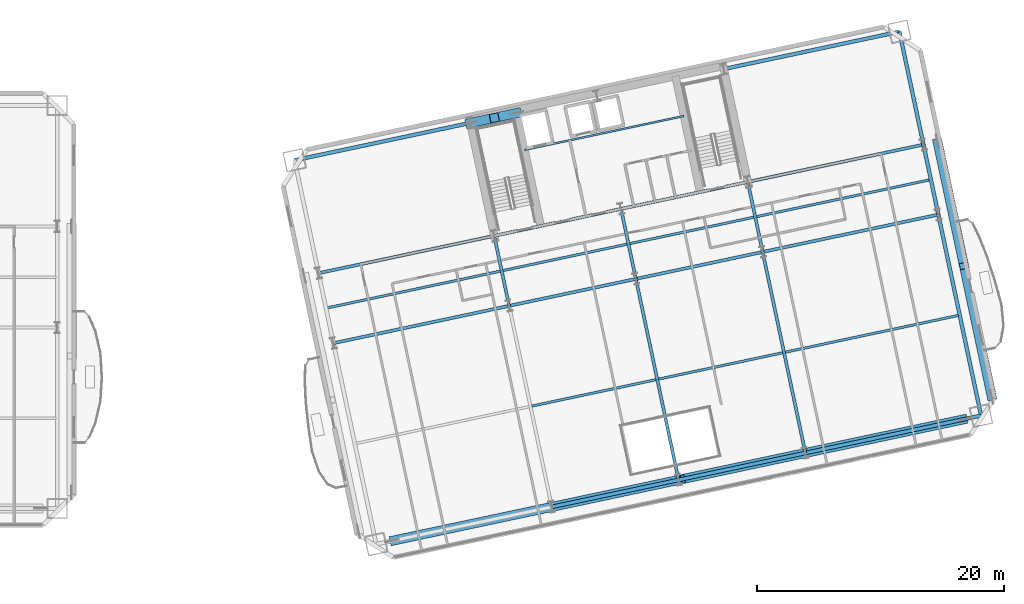
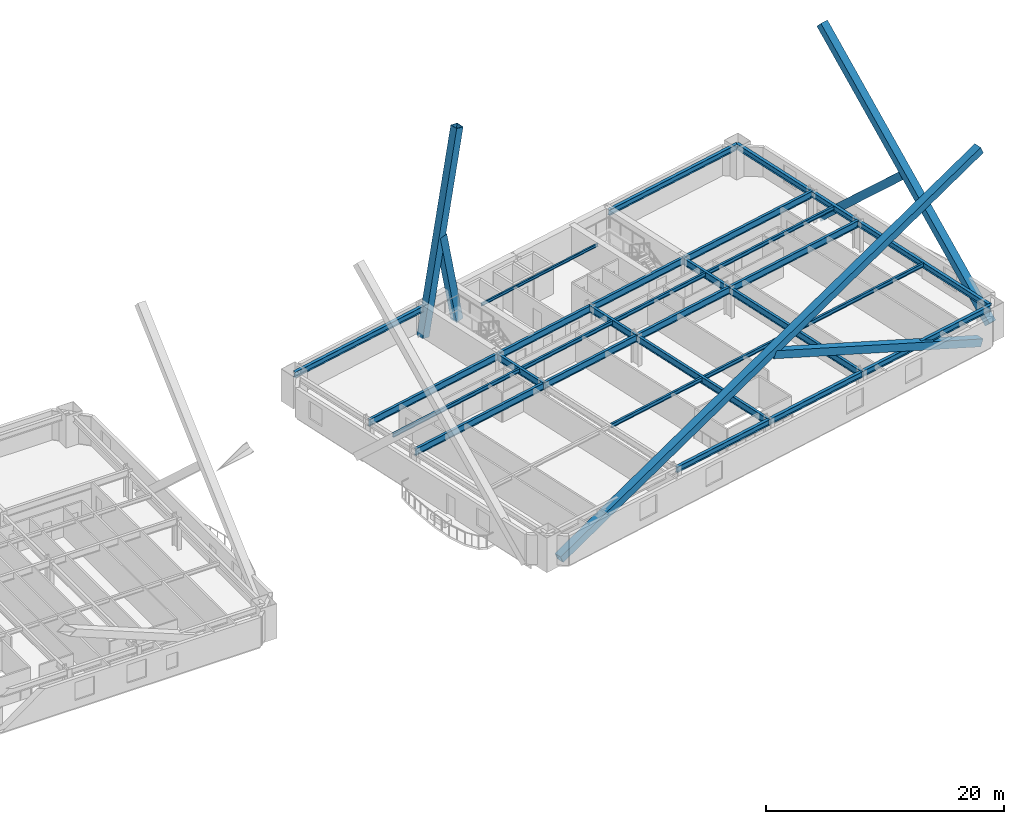
# One storey, part 4 of 20: 29 beams, 6 members.
"""IFC4 building model written with IfcOpenShell, lengths in metres."""

from ifc_helpers import new_model, si_unit, direction, frame, origin, origin_2d, place, context, subcontext, project, spatial, hollow_rectangle, i_section, extrude, material, material_profile, profile_set, type_object, element, save


model = new_model("IFC4")

# Units and contexts
model_context = context("Model", 3, precision=1e-05, world=origin(), true_north=direction((0.0, 1.0)))
body_context = subcontext(model_context, "Body", "Model", "MODEL_VIEW")
ifc_project = project(units=[si_unit("LENGTHUNIT", "METRE"), si_unit("AREAUNIT", "SQUARE_METRE"), si_unit("VOLUMEUNIT", "CUBIC_METRE"), si_unit("PLANEANGLEUNIT", "RADIAN"), si_unit("MASSUNIT", "GRAM", prefix="KILO")], contexts=[model_context])

# Site, building, storey
site_placement = place(None, origin())
site = spatial("IfcSite", under=ifc_project, at=site_placement, CompositionType="ELEMENT")
building_placement = place(site_placement, origin())
building = spatial("IfcBuilding", under=site, at=building_placement, Name="Haevon Station Towers", CompositionType="ELEMENT")
storey_placement = place(building_placement, frame((0.0, 0.0, 30.60009765625)))
storey = spatial("IfcBuildingStorey", under=building, at=storey_placement, Name="L06", CompositionType="ELEMENT", Elevation=30.60009765625)

# Beams
ifc_material_1 = material(Name="Steel S355", Category="steel")
ifc_material_profile_1 = material_profile(ifc_material_1, i_section(OverallWidth=0.25, OverallDepth=0.699951171875, WebThickness=0.012939453125, FlangeThickness=0.02392578125, at=origin_2d()), Name="H-700x250x13x24")
ifc_profile_set_1 = profile_set([ifc_material_profile_1], Name="Steel S355")
beam_type_1 = type_object("IfcBeamType", Name="BM-G700", PredefinedType="BEAM", material=ifc_profile_set_1)
beam_1_placement = place(storey_placement, frame((85.72607421875, 28.744140625, 2.699951171875), z_axis=(0.978150960994, 0.207895881409, 0.0), x_axis=(-0.207895881409, 0.978150960994, 0.0)))
element("IfcBeam", 1, at=beam_1_placement, inside=storey, type_object=beam_type_1, Name="BM-T2U-L06-02-01", PredefinedType="BEAM", context=body_context, shape_type="SweptSolid", body=[
    extrude(i_section(OverallWidth=0.25, OverallDepth=0.699951171875, WebThickness=0.012939453125, FlangeThickness=0.02392578125, at=origin_2d()), origin(), (0.0, 0.0, 1.0), 14.550048828125),
])
for number, where, z_axis, x_axis, name in (
    (2, (99.958251953125, 31.76904296875, 2.699951171875), (0.978146794194, 0.207915485254, 0.0), (-0.207915485254, 0.978146794194, 0.0), "BM-T2U-L06-02-02"),
    (3, (110.228759765625, 33.9521484375, 2.699951171875), (0.978146794194, 0.207915485254, 0.0), (-0.207915485254, 0.978146794194, 0.0), "BM-T2U-L06-02-03"),
):
    element("IfcBeam", number, at=place(storey_placement, frame(where, z_axis=z_axis, x_axis=x_axis)), inside=storey, type_object=beam_type_1, Name=name, PredefinedType="BEAM", context=body_context, shape_type="SweptSolid", body=[
        extrude(i_section(OverallWidth=0.25, OverallDepth=0.699951171875, WebThickness=0.012939453125, FlangeThickness=0.02392578125, at=origin_2d()), origin(), (0.0, 0.0, 1.0), 10.5),
    ])
for number, where, z_axis, x_axis, name in (
    (4, (120.499267578125, 36.13525390625, 2.699951171875), (0.978147548738, 0.207911935439, 0.0), (-0.207911935439, 0.978147548738, 0.0), "BM-T2U-L06-02-04"),
    (5, (84.520263671875, 34.417236328125, 2.699951171875), (0.978147548738, 0.207911935439, 0.0), (-0.207911935439, 0.978147548738, 0.0), "BM-T2U-L06-03-01"),
):
    element("IfcBeam", number, at=place(storey_placement, frame(where, z_axis=z_axis, x_axis=x_axis)), inside=storey, type_object=beam_type_1, Name=name, PredefinedType="BEAM", context=body_context, shape_type="SweptSolid", body=[
        extrude(i_section(OverallWidth=0.25, OverallDepth=0.699951171875, WebThickness=0.012939453125, FlangeThickness=0.02392578125, at=origin_2d()), origin(), (0.0, 0.0, 1.0), 14.550048828125),
    ])
for number, where, z_axis, x_axis, name in (
    (6, (98.75244140625, 37.4423828125, 2.699951171875), (0.978146794194, 0.207915485254, 0.0), (-0.207915485254, 0.978146794194, 0.0), "BM-T2U-L06-03-02"),
    (7, (109.02294921875, 39.62548828125, 2.699951171875), (0.978146794194, 0.207915485254, 0.0), (-0.207915485254, 0.978146794194, 0.0), "BM-T2U-L06-03-03"),
):
    element("IfcBeam", number, at=place(storey_placement, frame(where, z_axis=z_axis, x_axis=x_axis)), inside=storey, type_object=beam_type_1, Name=name, PredefinedType="BEAM", context=body_context, shape_type="SweptSolid", body=[
        extrude(i_section(OverallWidth=0.25, OverallDepth=0.699951171875, WebThickness=0.012939453125, FlangeThickness=0.02392578125, at=origin_2d()), origin(), (0.0, 0.0, 1.0), 10.5),
    ])
beam_2_placement = place(storey_placement, frame((119.29345703125, 41.80859375, 2.699951171875), z_axis=(0.978146823396, 0.207915347869, 0.0), x_axis=(-0.207915347869, 0.978146823396, 0.0)))
element("IfcBeam", 8, at=beam_2_placement, inside=storey, type_object=beam_type_1, Name="BM-T2U-L06-03-04", PredefinedType="BEAM", context=body_context, shape_type="SweptSolid", body=[
    extrude(i_section(OverallWidth=0.25, OverallDepth=0.699951171875, WebThickness=0.012939453125, FlangeThickness=0.02392578125, at=origin_2d()), origin(), (0.0, 0.0, 1.0), 14.5498046875),
])
beam_3_placement = place(storey_placement, frame((99.958251953125, 31.76904296875, 2.699951171875), z_axis=(-0.207896009217, 0.97815093383, 0.0), x_axis=(-0.97815093383, -0.207896009217, 0.0)))
element("IfcBeam", 9, at=beam_3_placement, inside=storey, type_object=beam_type_1, Name="BM-T2V-L06-02-02", PredefinedType="BEAM", context=body_context, shape_type="SweptSolid", body=[
    extrude(i_section(OverallWidth=0.25, OverallDepth=0.699951171875, WebThickness=0.012939453125, FlangeThickness=0.02392578125, at=origin_2d()), origin(), (0.0, 0.0, 1.0), 5.800048828125),
])
beam_4_placement = place(storey_placement, frame((113.6904296875, 17.666015625, 2.699951171875), z_axis=(-0.20790856066, 0.978148266064, 0.0), x_axis=(-0.978148266064, -0.20790856066, 0.0)))
element("IfcBeam", 10, at=beam_4_placement, inside=storey, type_object=beam_type_1, Name="BM-T2V-L06-03-01", PredefinedType="BEAM", context=body_context, shape_type="SweptSolid", body=[
    extrude(i_section(OverallWidth=0.25, OverallDepth=0.699951171875, WebThickness=0.012939453125, FlangeThickness=0.02392578125, at=origin_2d()), origin(), (0.0, 0.0, 1.0), 16.64990234375),
])
beam_5_placement = place(storey_placement, frame((110.228759765625, 33.9521484375, 2.699951171875), z_axis=(-0.207896009217, 0.97815093383, 0.0), x_axis=(-0.97815093383, -0.207896009217, 0.0)))
element("IfcBeam", 11, at=beam_5_placement, inside=storey, type_object=beam_type_1, Name="BM-T2V-L06-03-02", PredefinedType="BEAM", context=body_context, shape_type="SweptSolid", body=[
    extrude(i_section(OverallWidth=0.25, OverallDepth=0.699951171875, WebThickness=0.012939453125, FlangeThickness=0.02392578125, at=origin_2d()), origin(), (0.0, 0.0, 1.0), 5.800048828125),
])
beam_6_placement = place(storey_placement, frame((123.961181640625, 19.84912109375, 2.699951171875), z_axis=(-0.207922589901, 0.978145283999, 0.0), x_axis=(-0.978145283999, -0.207922589901, 0.0)))
element("IfcBeam", 12, at=beam_6_placement, inside=storey, type_object=beam_type_1, Name="BM-T2V-L06-04-01", PredefinedType="BEAM", context=body_context, shape_type="SweptSolid", body=[
    extrude(i_section(OverallWidth=0.25, OverallDepth=0.699951171875, WebThickness=0.012939453125, FlangeThickness=0.02392578125, at=origin_2d()), origin(), (0.0, 0.0, 1.0), 16.64990234375),
])
beam_7_placement = place(storey_placement, frame((120.499267578125, 36.13525390625, 2.699951171875), z_axis=(-0.207896009217, 0.97815093383, 0.0), x_axis=(-0.97815093383, -0.207896009217, 0.0)))
element("IfcBeam", 13, at=beam_7_placement, inside=storey, type_object=beam_type_1, Name="BM-T2V-L06-04-02", PredefinedType="BEAM", context=body_context, shape_type="SweptSolid", body=[
    extrude(i_section(OverallWidth=0.25, OverallDepth=0.699951171875, WebThickness=0.012939453125, FlangeThickness=0.02392578125, at=origin_2d()), origin(), (0.0, 0.0, 1.0), 5.800048828125),
])
ifc_material_profile_2 = material_profile(ifc_material_1, i_section(OverallWidth=0.199951171875, OverallDepth=0.39990234375, WebThickness=0.008056640625, FlangeThickness=0.012939453125, at=origin_2d()), Name="H-400x200x8x13")
ifc_profile_set_2 = profile_set([ifc_material_profile_2], Name="Steel S355")
beam_type_2 = type_object("IfcBeamType", Name="BM-J400", PredefinedType="JOIST", material=ifc_profile_set_2)
for number, where, z_axis, x_axis, name in (
    (14, (101.796630859375, 23.64892578125, 2.849853515625), (0.978145509903, 0.207921527161, 0.0), (-0.207921527161, 0.978145509903, 0.0), "BM-T2J-L06-01-02"),
    (15, (112.067138671875, 25.83203125, 2.849853515625), (0.978150339653, 0.207898804801, 0.0), (-0.207898804801, 0.978150339653, 0.0), "BM-T2J-L06-01-03"),
):
    element("IfcBeam", number, at=place(storey_placement, frame(where, z_axis=z_axis, x_axis=x_axis)), inside=storey, type_object=beam_type_2, Name=name, PredefinedType="JOIST", context=body_context, shape_type="SweptSolid", body=[
        extrude(i_section(OverallWidth=0.199951171875, OverallDepth=0.39990234375, WebThickness=0.008056640625, FlangeThickness=0.012939453125, at=origin_2d()), origin(), (0.0, 0.0, 1.0), 10.280029296875),
    ])
for number, where, z_axis, x_axis, name in (
    (16, (122.337890625, 28.01513671875, 2.849853515625), (0.978149367314, 0.207903379537, 0.0), (-0.207903379537, 0.978149367314, 0.0), "BM-T2J-L06-01-04"),
    (17, (85.23095703125, 31.603515625, 2.849853515625), (0.978145902522, 0.207919680114, 0.0), (-0.207919680114, 0.978145902522, 0.0), "BM-T2J-L06-02-01"),
):
    element("IfcBeam", number, at=place(storey_placement, frame(where, z_axis=z_axis, x_axis=x_axis)), inside=storey, type_object=beam_type_2, Name=name, PredefinedType="JOIST", context=body_context, shape_type="SweptSolid", body=[
        extrude(i_section(OverallWidth=0.199951171875, OverallDepth=0.39990234375, WebThickness=0.008056640625, FlangeThickness=0.012939453125, at=origin_2d()), origin(), (0.0, 0.0, 1.0), 14.330078125),
    ])
for number, where, z_axis, x_axis, name in (
    (18, (99.462890625, 34.628662109375, 2.849853515625), (0.978150339653, 0.207898804801, 0.0), (-0.207898804801, 0.978150339653, 0.0), "BM-T2J-L06-02-02"),
    (19, (109.7333984375, 36.811767578125, 2.849853515625), (0.978150339653, 0.207898804801, 0.0), (-0.207898804801, 0.978150339653, 0.0), "BM-T2J-L06-02-03"),
):
    element("IfcBeam", number, at=place(storey_placement, frame(where, z_axis=z_axis, x_axis=x_axis)), inside=storey, type_object=beam_type_2, Name=name, PredefinedType="JOIST", context=body_context, shape_type="SweptSolid", body=[
        extrude(i_section(OverallWidth=0.199951171875, OverallDepth=0.39990234375, WebThickness=0.008056640625, FlangeThickness=0.012939453125, at=origin_2d()), origin(), (0.0, 0.0, 1.0), 10.280029296875),
    ])
beam_8_placement = place(storey_placement, frame((120.00390625, 38.994873046875, 2.849853515625), z_axis=(0.978149367314, 0.207903379537, 0.0), x_axis=(-0.207903379537, 0.978149367314, 0.0)))
element("IfcBeam", 20, at=beam_8_placement, inside=storey, type_object=beam_type_2, Name="BM-T2J-L06-02-04", PredefinedType="JOIST", context=body_context, shape_type="SweptSolid", body=[
    extrude(i_section(OverallWidth=0.199951171875, OverallDepth=0.39990234375, WebThickness=0.008056640625, FlangeThickness=0.012939453125, at=origin_2d()), origin(), (0.0, 0.0, 1.0), 14.330078125),
])
ifc_material_profile_3 = material_profile(ifc_material_1, i_section(OverallWidth=0.14990234375, OverallDepth=0.300048828125, WebThickness=0.006591796875, FlangeThickness=0.009033203125, at=origin_2d()), Name="H-300x150x6.5x9")
ifc_profile_set_3 = profile_set([ifc_material_profile_3], Name="Steel S355")
beam_type_3 = type_object("IfcBeamType", Name="BM-LIN300", PredefinedType="LINTEL", material=ifc_profile_set_3)
beam_9_placement = place(storey_placement, frame((101.20849609375, 44.4052734375, 2.89990234375), z_axis=(0.978147802964, 0.207910739399, 0.0), x_axis=(-0.207910739399, 0.978147802964, 0.0)))
element("IfcBeam", 21, at=beam_9_placement, inside=storey, type_object=beam_type_3, Name="BM-T2LIN-L06", PredefinedType="LINTEL", context=body_context, shape_type="SweptSolid", body=[
    extrude(i_section(OverallWidth=0.14990234375, OverallDepth=0.300048828125, WebThickness=0.006591796875, FlangeThickness=0.009033203125, at=origin_2d()), origin(), (0.0, 0.0, 1.0), 13.19970703125),
])
ifc_material_profile_4 = material_profile(ifc_material_1, i_section(OverallWidth=0.300048828125, OverallDepth=0.587890625, WebThickness=0.011962890625, FlangeThickness=0.02001953125, at=origin_2d()), Name="H-588x300x12x20")
ifc_profile_set_4 = profile_set([ifc_material_profile_4], Name="Steel S355")
beam_type_4 = type_object("IfcBeamType", Name="BM-SP588", PredefinedType="SPANDREL", material=ifc_profile_set_4)
beam_10_placement = place(storey_placement, frame((103.419921875, 15.48291015625, 2.755859375), z_axis=(0.978146794194, 0.207915485254, 0.0), x_axis=(-0.207915485254, 0.978146794194, 0.0)))
element("IfcBeam", 22, at=beam_10_placement, inside=storey, type_object=beam_type_4, Name="BM-T2U-L06-01-02", PredefinedType="SPANDREL", context=body_context, shape_type="SweptSolid", body=[
    extrude(i_section(OverallWidth=0.300048828125, OverallDepth=0.587890625, WebThickness=0.011962890625, FlangeThickness=0.02001953125, at=origin_2d()), origin(), (0.0, 0.0, 1.0), 10.5),
])
beam_11_placement = place(storey_placement, frame((113.6904296875, 17.666015625, 2.755859375), z_axis=(0.978147799298, 0.207910756646, 0.0), x_axis=(-0.207910756646, 0.978147799298, 0.0)))
element("IfcBeam", 23, at=beam_11_placement, inside=storey, type_object=beam_type_4, Name="BM-T2U-L06-01-03", PredefinedType="SPANDREL", context=body_context, shape_type="SweptSolid", body=[
    extrude(i_section(OverallWidth=0.300048828125, OverallDepth=0.587890625, WebThickness=0.011962890625, FlangeThickness=0.02001953125, at=origin_2d()), origin(), (0.0, 0.0, 1.0), 10.500244140625),
])
for number, where, z_axis, x_axis, name in (
    (24, (123.961181640625, 19.84912109375, 2.755859375), (0.978146823396, 0.207915347869, 0.0), (-0.207915347869, 0.978146823396, 0.0), "BM-T2U-L06-01-04"),
    (25, (82.576416015625, 43.56298828125, 2.755859375), (0.978146823396, 0.207915347869, 0.0), (-0.207915347869, 0.978146823396, 0.0), "BM-T2U-L06-04-01"),
):
    element("IfcBeam", number, at=place(storey_placement, frame(where, z_axis=z_axis, x_axis=x_axis)), inside=storey, type_object=beam_type_4, Name=name, PredefinedType="SPANDREL", context=body_context, shape_type="SweptSolid", body=[
        extrude(i_section(OverallWidth=0.300048828125, OverallDepth=0.587890625, WebThickness=0.011962890625, FlangeThickness=0.02001953125, at=origin_2d()), origin(), (0.0, 0.0, 1.0), 14.5498046875),
    ])
beam_12_placement = place(storey_placement, frame((117.349365234375, 50.954345703125, 2.755859375), z_axis=(0.978150960994, 0.207895881409, 0.0), x_axis=(-0.207895881409, 0.978150960994, 0.0)))
element("IfcBeam", 26, at=beam_12_placement, inside=storey, type_object=beam_type_4, Name="BM-T2U-L06-04-04", PredefinedType="SPANDREL", context=body_context, shape_type="SweptSolid", body=[
    extrude(i_section(OverallWidth=0.300048828125, OverallDepth=0.587890625, WebThickness=0.011962890625, FlangeThickness=0.02001953125, at=origin_2d()), origin(), (0.0, 0.0, 1.0), 14.550048828125),
])
beam_13_placement = place(storey_placement, frame((138.193115234375, 22.874267578125, 2.755859375), z_axis=(-0.20790856066, 0.978148266064, 0.0), x_axis=(-0.978148266064, -0.20790856066, 0.0)))
element("IfcBeam", 27, at=beam_13_placement, inside=storey, type_object=beam_type_4, Name="BM-T2V-L06-05-01", PredefinedType="SPANDREL", context=body_context, shape_type="SweptSolid", body=[
    extrude(i_section(OverallWidth=0.300048828125, OverallDepth=0.587890625, WebThickness=0.011962890625, FlangeThickness=0.02001953125, at=origin_2d()), origin(), (0.0, 0.0, 1.0), 16.64990234375),
])
beam_14_placement = place(storey_placement, frame((134.7314453125, 39.160400390625, 2.755859375), z_axis=(-0.207936282142, 0.978142373363, 0.0), x_axis=(-0.978142373363, -0.207936282142, 0.0)))
element("IfcBeam", 28, at=beam_14_placement, inside=storey, type_object=beam_type_4, Name="BM-T2V-L06-05-02", PredefinedType="SPANDREL", context=body_context, shape_type="SweptSolid", body=[
    extrude(i_section(OverallWidth=0.300048828125, OverallDepth=0.587890625, WebThickness=0.011962890625, FlangeThickness=0.02001953125, at=origin_2d()), origin(), (0.0, 0.0, 1.0), 5.800048828125),
])
beam_15_placement = place(storey_placement, frame((133.525390625, 44.833740234375, 2.755859375), z_axis=(-0.207902477038, 0.978149559138, 0.0), x_axis=(-0.978149559138, -0.207902477038, 0.0)))
element("IfcBeam", 29, at=beam_15_placement, inside=storey, type_object=beam_type_4, Name="BM-T2V-L06-05-03", PredefinedType="SPANDREL", context=body_context, shape_type="SweptSolid", body=[
    extrude(i_section(OverallWidth=0.300048828125, OverallDepth=0.587890625, WebThickness=0.011962890625, FlangeThickness=0.02001953125, at=origin_2d()), origin(), (0.0, 0.0, 1.0), 9.349853515625),
])

# Members
ifc_material_2 = material(Name="Steel S460", Category="steel")
ifc_material_profile_5 = material_profile(ifc_material_2, hollow_rectangle(XDim=0.75, YDim=0.75, WallThickness=0.035888671875, at=origin_2d()), Name="RHS-750x750x36")
ifc_profile_set_5 = profile_set([ifc_material_profile_5], Name="Steel S460")
member_type = type_object("IfcMemberType", Name="MB-750", PredefinedType="BRACE", material=ifc_profile_set_5)
member_1_placement = place(storey_placement, frame((90.45947265625, 12.728271484375, -0.1201171875), z_axis=(0.903052294153, 0.191947665905, 0.384255966223), x_axis=(-0.207909592499, 0.978148046743, 0.0)))
element("IfcMember", 30, at=member_1_placement, inside=storey, type_object=member_type, Name="BR-T2MB-T00-S-D1", PredefinedType="BRACE", context=body_context, shape_type="SweptSolid", body=[
    extrude(hollow_rectangle(XDim=0.75, YDim=0.75, WallThickness=0.035888671875, at=origin_2d()), origin(), (0.0, 0.0, 1.0), 51.4501953125),
])
member_2_placement = place(storey_placement, frame((136.921630859375, 22.60400390625, -0.1201171875), z_axis=(-0.903050622121, -0.191954744235, 0.384256359807), x_axis=(0.207917296337, -0.978146409227, 0.0)))
element("IfcMember", 31, at=member_2_placement, inside=storey, type_object=member_type, Name="BR-T2MB-T00-S-D2A", PredefinedType="BRACE", context=body_context, shape_type="SweptSolid", body=[
    extrude(hollow_rectangle(XDim=0.75, YDim=0.75, WallThickness=0.035888671875, at=origin_2d()), origin(), (0.0, 0.0, 1.0), 25.338134765625),
])
member_3_placement = place(storey_placement, frame((96.808349609375, 46.588134765625, -0.1201171875), z_axis=(0.186971496987, 0.039745837188, 0.981560964862), x_axis=(-0.207930804564, 0.978143537786, 0.0)))
element("IfcMember", 32, at=member_3_placement, inside=storey, type_object=member_type, Name="BR-T2MB-T00-N-D1", PredefinedType="BRACE", context=body_context, shape_type="SweptSolid", body=[
    extrude(hollow_rectangle(XDim=0.75, YDim=0.75, WallThickness=0.035888671875, at=origin_2d()), origin(), (0.0, 0.0, 1.0), 20.141357421875),
])
member_4_placement = place(storey_placement, frame((100.57421875, 47.388671875, -0.1201171875), z_axis=(-0.186968795071, -0.039758601649, 0.981560962582), x_axis=(0.207997569249, -0.978129342769, 0.0)))
element("IfcMember", 33, at=member_4_placement, inside=storey, type_object=member_type, Name="BR-T2MB-T00-N-D2A", PredefinedType="BRACE", context=body_context, shape_type="SweptSolid", body=[
    extrude(hollow_rectangle(XDim=0.75, YDim=0.75, WallThickness=0.035888671875, at=origin_2d()), origin(), (0.0, 0.0, 1.0), 9.68359375),
])
member_5_placement = place(storey_placement, frame((139.0673828125, 24.38916015625, -0.1201171875), z_axis=(-0.151891990641, 0.714572041469, 0.682873063409), x_axis=(-0.978146204782, -0.207918258146, 0.0)))
element("IfcMember", 34, at=member_5_placement, inside=storey, type_object=member_type, Name="BR-T2MB-T00-E-D1", PredefinedType="BRACE", context=body_context, shape_type="SweptSolid", body=[
    extrude(hollow_rectangle(XDim=0.75, YDim=0.75, WallThickness=0.035888671875, at=origin_2d()), origin(), (0.0, 0.0, 1.0), 28.951171875),
])
member_6_placement = place(storey_placement, frame((134.669921875, 45.076904296875, -0.1201171875), z_axis=(0.151886920383, -0.714570342146, 0.68287596937), x_axis=(0.97814751572, 0.207912090777, 0.0)))
element("IfcMember", 35, at=member_6_placement, inside=storey, type_object=member_type, Name="BR-T2MB-T00-E-D2A", PredefinedType="BRACE", context=body_context, shape_type="SweptSolid", body=[
    extrude(hollow_rectangle(XDim=0.75, YDim=0.75, WallThickness=0.035888671875, at=origin_2d()), origin(), (0.0, 0.0, 1.0), 14.088623046875),
])

save(model, "model.ifc")
